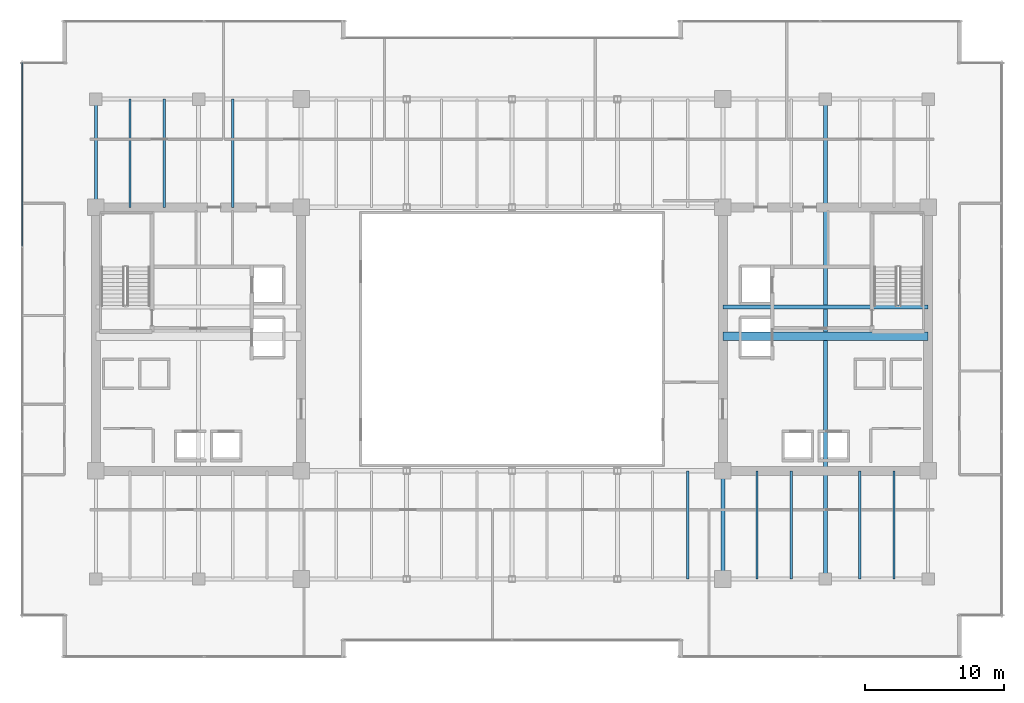
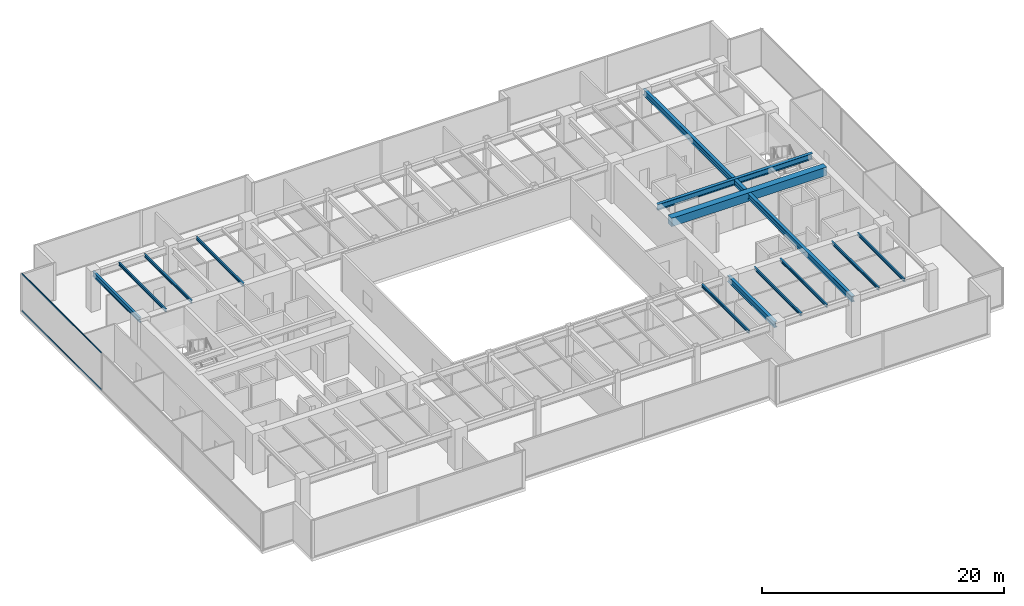
# One storey, part 13 of 31: 13 beams, 2 members, 1 element without a shape of its own.
"""IFC4 building model written with IfcOpenShell, lengths in metres."""

from ifc_helpers import new_model, si_unit, direction, frame, origin, origin_2d, place, context, subcontext, project, spatial, rectangle, hollow_rectangle, i_section, extrude, source, transform, mapped, material, layer, layer_set, material_profile, profile_set, type_object, type_shapes, element, aggregate, save


model = new_model("IFC4")

# Units and contexts
model_context = context("Model", 3, precision=1e-05, world=origin(), true_north=direction((0.0, 1.0)))
body_context = subcontext(model_context, "Body", "Model", "MODEL_VIEW")
ifc_project = project(units=[si_unit("LENGTHUNIT", "METRE"), si_unit("AREAUNIT", "SQUARE_METRE"), si_unit("VOLUMEUNIT", "CUBIC_METRE"), si_unit("PLANEANGLEUNIT", "RADIAN"), si_unit("MASSUNIT", "GRAM", prefix="KILO")], contexts=[model_context])

# Site, building, storey
site_placement = place(None, origin())
site = spatial("IfcSite", under=ifc_project, at=site_placement, CompositionType="ELEMENT")
building_placement = place(site_placement, origin())
building = spatial("IfcBuilding", under=site, at=building_placement, Name="Haelvirn Gate Laboratories", CompositionType="ELEMENT")
storey_placement = place(building_placement, frame((0.0, 0.0, 174.800048828125)))
storey = spatial("IfcBuildingStorey", under=building, at=storey_placement, Name="L42", CompositionType="ELEMENT", Elevation=174.800048828125)

# Beams
ifc_material_1 = material(Name="Steel SM355", Category="steel")
ifc_material_profile_1 = material_profile(ifc_material_1, i_section(OverallWidth=0.300048828125, OverallDepth=0.587890625, WebThickness=0.011962890625, FlangeThickness=0.02001953125, at=origin_2d()), Name="H-588x300x12x20")
ifc_profile_set_1 = profile_set([ifc_material_profile_1], Name="Steel SM355")
beam_type_1 = type_object("IfcBeamType", Name="BM-G-588", PredefinedType="BEAM", material=ifc_profile_set_1)
shared_shape_1 = source(origin(), body_context, "Body", "SweptSolid", [
    extrude(i_section(OverallWidth=0.300048828125, OverallDepth=0.587890625, WebThickness=0.011962890625, FlangeThickness=0.02001953125, at=origin_2d()), origin(), (0.0, 0.0, 1.0), 14.7998046875),
])
beam_1_placement = place(storey_placement, frame((52.60009765625, 26.6201171875, 3.495849609375), z_axis=(1.0, 0.0, 0.0), x_axis=(0.0, 1.0, 0.0)))
element("IfcBeam", 1, at=beam_1_placement, inside=storey, type_object=beam_type_1, Name="L42 Stair ST2 Landing Header", PredefinedType="BEAM", context=body_context, shape_type="MappedRepresentation", body=[
    mapped(shared_shape_1, transform((0.0, 0.0, 0.0), scale=1.0)),
])
ifc_material_profile_2 = material_profile(ifc_material_1, i_section(OverallWidth=0.199951171875, OverallDepth=0.5, WebThickness=0.010009765625, FlangeThickness=0.01611328125, at=origin_2d()), Name="H-500x200x10x16")
ifc_profile_set_2 = profile_set([ifc_material_profile_2], Name="Steel SM355")
beam_type_2 = type_object("IfcBeamType", Name="BM-SP-500", PredefinedType="SPANDREL", material=ifc_profile_set_2)
shared_shape_2 = source(origin(), body_context, "Body", "SweptSolid", [
    extrude(i_section(OverallWidth=0.199951171875, OverallDepth=0.5, WebThickness=0.010009765625, FlangeThickness=0.01611328125, at=origin_2d()), origin(), (0.0, 0.0, 1.0), 7.800048828125),
])
type_shapes(beam_type_2, [shared_shape_2])
beam_2_placement = place(storey_placement, frame((7.39990234375, 33.800048828125, 3.5400390625), z_axis=(0.0, 1.0, 0.0), x_axis=(-1.0, 0.0, 0.0)))
element("IfcBeam", 2, at=beam_2_placement, inside=storey, type_object=beam_type_2, Name="L42 Perimeter Spandrel X7.4 (33.8-41.6)", PredefinedType="SPANDREL", context=body_context, shape_type="MappedRepresentation", body=[
    mapped(shared_shape_2, transform((0.0, 0.0, 0.0), scale=1.0)),
])
ifc_material_profile_3 = material_profile(ifc_material_1, i_section(OverallWidth=0.14990234375, OverallDepth=0.300048828125, WebThickness=0.006591796875, FlangeThickness=0.009033203125, at=origin_2d()), Name="H-300x150x6.5x9")
ifc_profile_set_3 = profile_set([ifc_material_profile_3], Name="Steel SM355")
beam_type_3 = type_object("IfcBeamType", Name="BM-J-300", PredefinedType="JOIST", material=ifc_profile_set_3)
shared_shape_3 = source(origin(), body_context, "Body", "SweptSolid", [
    extrude(i_section(OverallWidth=0.14990234375, OverallDepth=0.300048828125, WebThickness=0.006591796875, FlangeThickness=0.009033203125, at=origin_2d()), origin(), (0.0, 0.0, 1.0), 7.800048828125),
])
type_shapes(beam_type_3, [shared_shape_3])
for number, where, z_axis, x_axis, name in (
    (3, (9.8701171875, 33.800048828125, 3.639892578125), (0.0, 1.0, 0.0), (-1.0, 0.0, 0.0), "L42 Composite Lab Joist North X9.87"),
    (4, (12.330078125, 33.800048828125, 3.639892578125), (0.0, 1.0, 0.0), (-1.0, 0.0, 0.0), "L42 Composite Lab Joist North X12.33"),
    (5, (17.27001953125, 33.800048828125, 3.639892578125), (0.0, 1.0, 0.0), (-1.0, 0.0, 0.0), "L42 Composite Lab Joist North X17.27"),
    (6, (50.070068359375, 7.0, 3.639892578125), (0.0, 1.0, 0.0), (-1.0, 0.0, 0.0), "L42 Composite Lab Joist South X50.07"),
    (7, (55.070068359375, 7.0, 3.639892578125), (0.0, 1.0, 0.0), (-1.0, 0.0, 0.0), "L42 Composite Lab Joist South X55.07"),
    (8, (57.530029296875, 7.0, 3.639892578125), (0.0, 1.0, 0.0), (-1.0, 0.0, 0.0), "L42 Composite Lab Joist South X57.53"),
    (9, (62.469970703125, 7.0, 3.639892578125), (0.0, 1.0, 0.0), (-1.0, 0.0, 0.0), "L42 Composite Lab Joist South X62.47"),
    (10, (64.929931640625, 7.0, 3.639892578125), (0.0, 1.0, 0.0), (-1.0, 0.0, 0.0), "L42 Composite Lab Joist South X64.93"),
):
    element("IfcBeam", number, at=place(storey_placement, frame(where, z_axis=z_axis, x_axis=x_axis)), inside=storey, type_object=beam_type_3, Name=name, PredefinedType="JOIST", context=body_context, shape_type="MappedRepresentation", body=[
        mapped(shared_shape_3, transform((0.0, 0.0, 0.0), scale=1.0)),
    ])
shared_shape_4 = source(origin(), body_context, "Body", "SweptSolid", [
    extrude(i_section(OverallWidth=0.300048828125, OverallDepth=0.587890625, WebThickness=0.011962890625, FlangeThickness=0.02001953125, at=origin_2d()), origin(), (0.0, 0.0, 1.0), 34.60009765625),
])
beam_3_placement = place(storey_placement, frame((60.0, 7.0, 3.495849609375), z_axis=(0.0, 1.0, 0.0), x_axis=(-1.0, 0.0, 0.0)))
element("IfcBeam", 11, at=beam_3_placement, inside=storey, type_object=beam_type_1, Name="L42 Frame Girder X60.0 (7.0-41.6)", PredefinedType="BEAM", context=body_context, shape_type="MappedRepresentation", body=[
    mapped(shared_shape_4, transform((0.0, 0.0, 0.0), scale=1.0)),
])
shared_shape_5 = source(origin(), body_context, "Body", "SweptSolid", [
    extrude(i_section(OverallWidth=0.300048828125, OverallDepth=0.587890625, WebThickness=0.011962890625, FlangeThickness=0.02001953125, at=origin_2d()), origin(), (0.0, 0.0, 1.0), 7.800048828125),
])
type_shapes(beam_type_1, [shared_shape_1, shared_shape_4, shared_shape_5])
beam_4_placement = place(storey_placement, frame((52.60009765625, 7.0, 3.495849609375), z_axis=(0.0, 1.0, 0.0), x_axis=(-1.0, 0.0, 0.0)))
element("IfcBeam", 12, at=beam_4_placement, inside=storey, type_object=beam_type_1, Name="L42 Frame Girder X52.6 (7.0-14.8)", PredefinedType="BEAM", context=body_context, shape_type="MappedRepresentation", body=[
    mapped(shared_shape_5, transform((0.0, 0.0, 0.0), scale=1.0)),
])
ifc_material_2 = material(Name="Concrete C50/60", Category="concrete")
ifc_material_profile_4 = material_profile(ifc_material_2, rectangle(XDim=0.60009765625, YDim=0.85009765625, at=origin_2d()), Name="RCB-600x850")
ifc_profile_set_4 = profile_set([ifc_material_profile_4], Name="Concrete C50/60")
beam_type_4 = type_object("IfcBeamType", Name="BM-RCB-850", PredefinedType="LINTEL", material=ifc_profile_set_4)
shared_shape_6 = source(origin(), body_context, "Body", "SweptSolid", [
    extrude(rectangle(XDim=0.60009765625, YDim=0.85009765625, at=origin_2d()), origin(), (0.0, 0.0, 1.0), 14.7998046875),
])
type_shapes(beam_type_4, [shared_shape_6])
beam_5_placement = place(storey_placement, frame((52.60009765625, 24.5, 3.364990234375), z_axis=(1.0, 0.0, 0.0), x_axis=(0.0, 1.0, 0.0)))
element("IfcBeam", 13, at=beam_5_placement, inside=storey, type_object=beam_type_4, Name="L42 East Core Coupling Beam", PredefinedType="LINTEL", context=body_context, shape_type="MappedRepresentation", body=[
    mapped(shared_shape_6, transform((0.0, 0.0, 0.0), scale=1.0)),
])

# Curtain wall, members
ifc_material_3 = material(Name="Anodised bronze unitised aluminium & triple low-E glass", Category="aluminium")
ifc_layer = layer(ifc_material_3, 0.179931640625, Name="CW-SYS-3")
ifc_layer_set = layer_set([ifc_layer], Name="Anodised bronze unitised aluminium & triple low-E glass")
curtain_wall_type = type_object("IfcCurtainWallType", Name="CW-SYS-3", PredefinedType="NOTDEFINED", material=ifc_layer_set)
curtain_wall_placement = place(storey_placement, origin())
curtain_wall = element("IfcCurtainWall", 14, at=curtain_wall_placement, inside=storey, type_object=curtain_wall_type, Name="L42 Unitised Curtain Wall CW-L42-P0-E17", PredefinedType="NOTDEFINED")
ifc_material_4 = material(Name="Extruded aluminium 6063-T6 (anodised bronze)", Category="aluminium")
ifc_material_profile_5 = material_profile(ifc_material_4, hollow_rectangle(XDim=0.06494140625, YDim=0.139892578125, WallThickness=0.00390625, at=origin_2d()), Name="CWT-140x65x4")
ifc_profile_set_5 = profile_set([ifc_material_profile_5], Name="Extruded aluminium 6063-T6 (anodised bronze)")
member_type = type_object("IfcMemberType", Name="CWT-T140", PredefinedType="USERDEFINED", material=ifc_profile_set_5)
shared_shape_7 = source(origin(), body_context, "Body", "SweptSolid", [
    extrude(hollow_rectangle(XDim=0.06494140625, YDim=0.139892578125, WallThickness=0.00390625, at=origin_2d()), origin(), (0.0, 0.0, 1.0), 13.220947265625),
])
type_shapes(member_type, [shared_shape_7])
member_1_placement = place(storey_placement, frame((2.10009765625, 44.22509765625, 0.032470703125), z_axis=(0.0, -1.0, 0.0), x_axis=(1.0, 0.0, 0.0)))
member_1 = element("IfcMember", 15, at=member_1_placement, type_object=member_type, Name="CW3 transom 1.1", ObjectType="TRANSOM", PredefinedType="USERDEFINED", context=body_context, shape_type="MappedRepresentation", body=[
    mapped(shared_shape_7, transform((0.0, 0.0, 0.0), scale=1.0)),
])
member_2_placement = place(storey_placement, frame((2.10009765625, 44.22509765625, 3.757568359375), z_axis=(0.0, -1.0, 0.0), x_axis=(1.0, 0.0, 0.0)))
member_2 = element("IfcMember", 16, at=member_2_placement, type_object=member_type, Name="CW3 transom 1.2", ObjectType="TRANSOM", PredefinedType="USERDEFINED", context=body_context, shape_type="MappedRepresentation", body=[
    mapped(shared_shape_7, transform((0.0, 0.0, 0.0), scale=1.0)),
])
aggregate(curtain_wall, [member_1, member_2])

save(model, "model.ifc")
